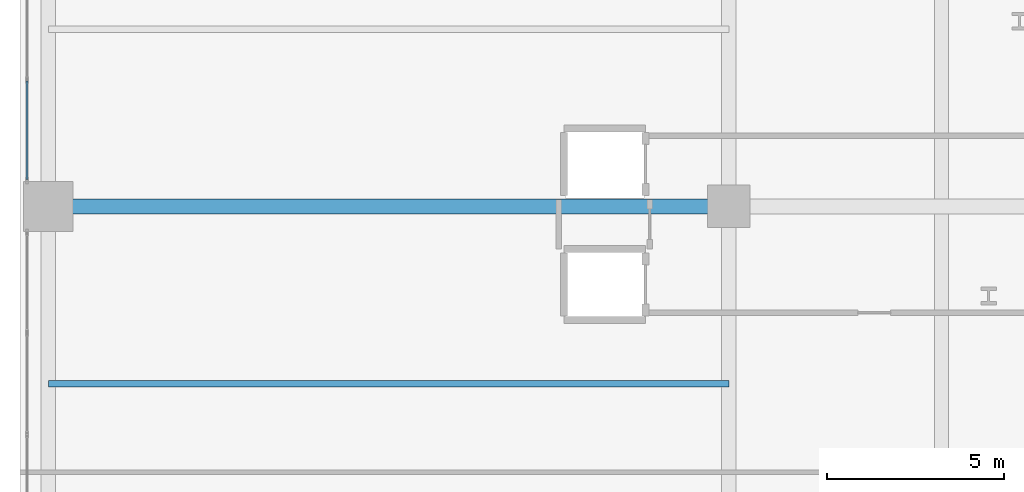
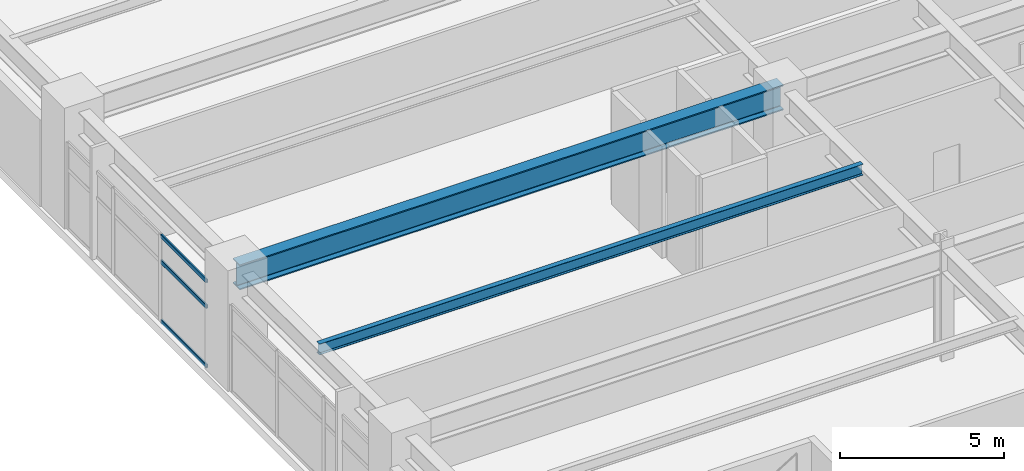
# One storey, part 8 of 28: 3 members, 2 beams, 1 element without a shape of its own.
"""IFC4 building model written with IfcOpenShell, lengths in metres."""

from ifc_helpers import new_model, si_unit, direction, frame, origin, origin_2d, place, context, subcontext, project, spatial, hollow_rectangle, i_section, extrude, material, layer, layer_set, material_profile, profile_set, type_object, element, aggregate, save


model = new_model("IFC4")

# Units and contexts
model_context = context("Model", 3, precision=1e-05, world=origin(), true_north=direction((0.0, 1.0)))
body_context = subcontext(model_context, "Body", "Model", "MODEL_VIEW")
ifc_project = project(units=[si_unit("LENGTHUNIT", "METRE"), si_unit("AREAUNIT", "SQUARE_METRE"), si_unit("VOLUMEUNIT", "CUBIC_METRE"), si_unit("PLANEANGLEUNIT", "RADIAN"), si_unit("MASSUNIT", "GRAM", prefix="KILO")], contexts=[model_context])

# Site, building, storey
site_placement = place(None, origin())
site = spatial("IfcSite", under=ifc_project, at=site_placement, CompositionType="ELEMENT")
building_placement = place(site_placement, origin())
building = spatial("IfcBuilding", under=site, at=building_placement, Name="Soratama Intermodal Tower", CompositionType="ELEMENT")
storey_placement = place(building_placement, frame((0.0, 0.0, 16.199951171875)))
storey = spatial("IfcBuildingStorey", under=building, at=storey_placement, Name="L03", CompositionType="ELEMENT", Elevation=16.199951171875)

# Beams
ifc_material_1 = material(Name="Structural steel ASTM A992 Grade 50", Category="steel")
ifc_material_profile_1 = material_profile(ifc_material_1, i_section(OverallWidth=0.177978515625, OverallDepth=0.406982421875, WebThickness=0.0078125, FlangeThickness=0.0126953125, FilletRadius=0.010009765625, at=origin_2d()), Name="W16X40")
ifc_profile_set_1 = profile_set([ifc_material_profile_1], Name="Structural steel ASTM A992 Grade 50")
beam_type_1 = type_object("IfcBeamType", Name="BM-JST-W16X40", PredefinedType="JOIST", material=ifc_profile_set_1)
beam_1_placement = place(storey_placement, frame((0.800048828125, 20.0, 3.9765625), z_axis=(1.0, 0.0, 0.0), x_axis=(0.0, 1.0, 0.0)))
element("IfcBeam", 1, at=beam_1_placement, inside=storey, type_object=beam_type_1, Name="JST-L03-W2", PredefinedType="JOIST", context=body_context, shape_type="SweptSolid", body=[
    extrude(i_section(OverallWidth=0.177978515625, OverallDepth=0.406982421875, WebThickness=0.0078125, FlangeThickness=0.0126953125, FilletRadius=0.010009765625, at=origin_2d()), origin(), (0.0, 0.0, 1.0), 19.199951171875),
])
ifc_material_2 = material(Name="Structural steel ASTM A992 Grade 50", Category="steel")
ifc_material_profile_2 = material_profile(ifc_material_2, i_section(OverallWidth=0.423095703125, OverallDepth=0.93896484375, WebThickness=0.02392578125, FlangeThickness=0.042724609375, FilletRadius=0.02392578125, at=origin_2d()), Name="W36X302")
ifc_profile_set_2 = profile_set([ifc_material_profile_2], Name="Structural steel ASTM A992 Grade 50")
beam_type_2 = type_object("IfcBeamType", Name="BM-POD-W36X302", PredefinedType="BEAM", material=ifc_profile_set_2)
beam_2_placement = place(storey_placement, frame((0.800048828125, 25.0, 3.71044921875), z_axis=(1.0, 0.0, 0.0), x_axis=(0.0, 1.0, 0.0)))
element("IfcBeam", 2, at=beam_2_placement, inside=storey, type_object=beam_type_2, Name="L03 Station Girder X3-4", PredefinedType="BEAM", context=body_context, shape_type="SweptSolid", body=[
    extrude(i_section(OverallWidth=0.423095703125, OverallDepth=0.93896484375, WebThickness=0.02392578125, FlangeThickness=0.042724609375, FilletRadius=0.02392578125, at=origin_2d()), origin(), (0.0, 0.0, 1.0), 19.199951171875),
])

# Curtain wall, members
ifc_material_3 = material(Name="Double-glazed aluminium curtain wall", Category="aluminium")
ifc_layer = layer(ifc_material_3, 0.159912109375)
ifc_layer_set = layer_set([ifc_layer], Name="Double-glazed aluminium curtain wall")
curtain_wall_type = type_object("IfcCurtainWallType", Name="CW-SYS-1", PredefinedType="NOTDEFINED", material=ifc_layer_set)
curtain_wall_placement = place(storey_placement, origin())
curtain_wall = element("IfcCurtainWall", 3, at=curtain_wall_placement, inside=storey, type_object=curtain_wall_type, Name="L03 Station Curtain Wall W2", PredefinedType="NOTDEFINED")
ifc_material_4 = material(Name="Anodised aluminium AA 6063-T6", Category="aluminium")
ifc_material_profile_3 = material_profile(ifc_material_4, hollow_rectangle(XDim=0.06494140625, YDim=0.14990234375, WallThickness=0.0048828125, InnerFilletRadius=0.0048828125, OuterFilletRadius=0.010009765625, at=origin_2d()), Name="CWT150X65X5")
ifc_profile_set_3 = profile_set([ifc_material_profile_3], Name="Anodised aluminium AA 6063-T6")
member_type = type_object("IfcMemberType", Name="TT-CWT-1", PredefinedType="USERDEFINED", material=ifc_profile_set_3)
member_1_placement = place(storey_placement, frame((0.199951171875, 25.760009765625, 0.030029296875), z_axis=(0.0, 1.0, 0.0), x_axis=(-1.0, 0.0, 0.0)))
member_1 = element("IfcMember", 4, at=member_1_placement, type_object=member_type, Name="CW-1 transom 1.1", ObjectType="TRANSOM", PredefinedType="USERDEFINED", context=body_context, shape_type="SweptSolid", body=[
    extrude(hollow_rectangle(XDim=0.06494140625, YDim=0.14990234375, WallThickness=0.0048828125, InnerFilletRadius=0.0048828125, OuterFilletRadius=0.010009765625, at=origin_2d()), origin(), (0.0, 0.0, 1.0), 2.776611328125),
])
member_2_placement = place(storey_placement, frame((0.199951171875, 25.760009765625, 2.25), z_axis=(0.0, 1.0, 0.0), x_axis=(-1.0, 0.0, 0.0)))
member_2 = element("IfcMember", 5, at=member_2_placement, type_object=member_type, Name="CW-1 transom 1.2", ObjectType="TRANSOM", PredefinedType="USERDEFINED", context=body_context, shape_type="SweptSolid", body=[
    extrude(hollow_rectangle(XDim=0.06494140625, YDim=0.14990234375, WallThickness=0.0048828125, InnerFilletRadius=0.0048828125, OuterFilletRadius=0.010009765625, at=origin_2d()), origin(), (0.0, 0.0, 1.0), 2.776611328125),
])
member_3_placement = place(storey_placement, frame((0.199951171875, 25.760009765625, 3.2060546875), z_axis=(0.0, 1.0, 0.0), x_axis=(-1.0, 0.0, 0.0)))
member_3 = element("IfcMember", 6, at=member_3_placement, type_object=member_type, Name="CW-1 transom 1.3", ObjectType="TRANSOM", PredefinedType="USERDEFINED", context=body_context, shape_type="SweptSolid", body=[
    extrude(hollow_rectangle(XDim=0.06494140625, YDim=0.14990234375, WallThickness=0.0048828125, InnerFilletRadius=0.0048828125, OuterFilletRadius=0.010009765625, at=origin_2d()), origin(), (0.0, 0.0, 1.0), 2.776611328125),
])
aggregate(curtain_wall, [member_1, member_2, member_3])

save(model, "model.ifc")
